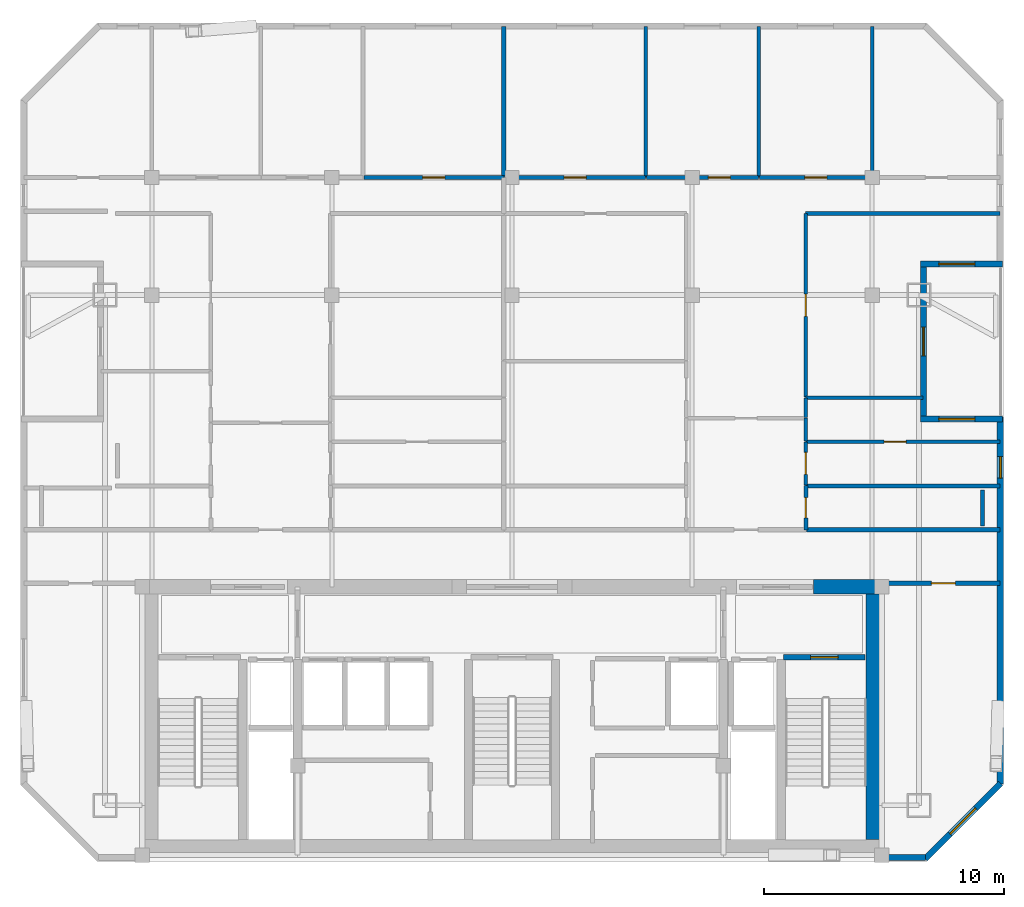
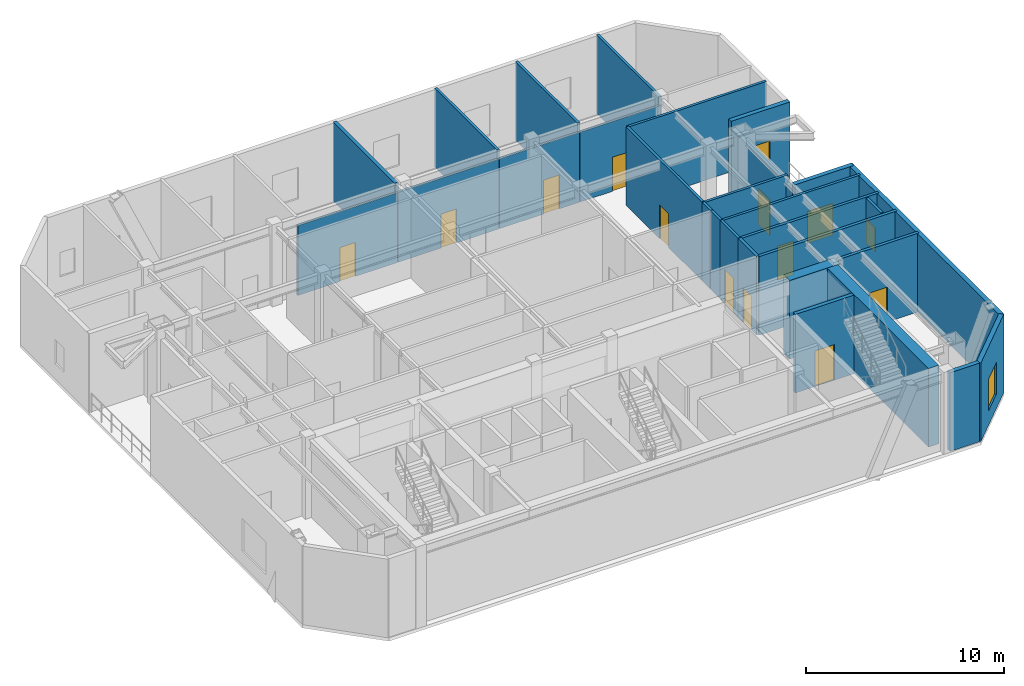
# One storey, part 5 of 7: 29 walls, 11 doors, 4 windows, 15 openings.
"""IFC4 building model written with IfcOpenShell, lengths in metres."""

from ifc_helpers import new_model, si_unit, direction, frame, frame_2d, origin, place, context, subcontext, project, spatial, rectangle, extrude, material, layer, layer_set, type_object, element, fill, save


model = new_model("IFC4")

# Units and contexts
model_context = context("Model", 3, precision=1e-05, world=origin(), true_north=direction((0.0, 1.0)))
body_context = subcontext(model_context, "Body", "Model", "MODEL_VIEW")
ifc_project = project(units=[si_unit("LENGTHUNIT", "METRE"), si_unit("AREAUNIT", "SQUARE_METRE"), si_unit("VOLUMEUNIT", "CUBIC_METRE"), si_unit("PLANEANGLEUNIT", "RADIAN"), si_unit("MASSUNIT", "GRAM", prefix="KILO")], contexts=[model_context])

# Site, building, storey
site_placement = place(None, origin())
site = spatial("IfcSite", under=ifc_project, at=site_placement, CompositionType="ELEMENT")
building_placement = place(site_placement, origin())
building = spatial("IfcBuilding", under=site, at=building_placement, Name="Ventersveld Concourse Tower", CompositionType="ELEMENT")
storey_placement = place(building_placement, frame((0.0, 0.0, 276.0)))
storey = spatial("IfcBuildingStorey", under=building, at=storey_placement, Name="L68", CompositionType="ELEMENT", Elevation=276.0)

# Walls
ifc_material_1 = material(Name="Concrete C50/60", Category="concrete")
ifc_layer_1 = layer(ifc_material_1, 0.60009765625)
ifc_layer_set_1 = layer_set([ifc_layer_1], Name="Concrete C50/60")
wall_type_1 = type_object("IfcWallType", Name="WL-CORE-600", PredefinedType="SHEAR", material=ifc_layer_set_1)
wall_1_placement = place(storey_placement, frame((43.800048828125, 0.919921875, 0.0), z_axis=(0.0, 0.0, 1.0), x_axis=(0.0, 1.0, 0.0)))
element("IfcWall", 1, at=wall_1_placement, inside=storey, type_object=wall_type_1, Name="L68 Rear Core East Shear Wall", PredefinedType="SHEAR", context=body_context, shape_type="SweptSolid", body=[
    extrude(rectangle(XDim=10.530029296875, YDim=0.60009765625, at=frame_2d((5.26513671875, 0.0))), origin(), (0.0, 0.0, 1.0), 4.85009765625),
])
wall_2_placement = place(storey_placement, frame((41.300048828125, 11.449951171875, 0.0), z_axis=(0.0, 0.0, 1.0), x_axis=(1.0, 0.0, 0.0)))
element("IfcWall", 2, at=wall_2_placement, inside=storey, type_object=wall_type_1, Name="L68 Rear Core North Shear Wall NE", PredefinedType="SHEAR", context=body_context, shape_type="SweptSolid", body=[
    extrude(rectangle(XDim=2.949951171875, YDim=0.60009765625, at=frame_2d((1.47509765625, 0.0))), origin(), (0.0, 0.0, 1.0), 4.85009765625),
])

# Wall, opening, door
ifc_material_2 = material(Name="Fire-rated autoclaved aerated masonry blockwork", Category="masonry")
ifc_layer_2 = layer(ifc_material_2, 0.179931640625)
ifc_layer_set_2 = layer_set([ifc_layer_2], Name="Fire-rated autoclaved aerated masonry blockwork")
wall_type_2 = type_object("IfcWallType", Name="WL-CORR-180", PredefinedType="PARTITIONING", material=ifc_layer_set_2)
wall_3_placement = place(storey_placement, frame((44.35498046875, 11.60009765625, 0.0), z_axis=(0.0, 0.0, 1.0), x_axis=(1.0, 0.0, 0.0)))
wall_3 = element("IfcWall", 3, at=wall_3_placement, inside=storey, type_object=wall_type_2, Name="L68 Interior Partition SP-L68-SE-OFF-SP-L68-COR", PredefinedType="PARTITIONING", context=body_context, shape_type="SweptSolid", body=[
    extrude(rectangle(XDim=4.713623046875, YDim=0.179931640625, at=frame_2d((2.35693359375, 0.0))), origin(), (0.0, 0.0, 1.0), 4.85009765625),
])
opening_1_placement = place(wall_3_placement, frame((1.856689453125, 0.0, 0.0)))
opening_1 = element("IfcOpeningElement", 4, at=opening_1_placement, cuts=wall_3, Name="Opening FD3", PredefinedType="OPENING", context=body_context, shape_type="SweptSolid", body=[
    extrude(rectangle(XDim=1.0, YDim=2.14990234375, at=frame_2d((0.5, 1.074951171875))), frame((0.0, 0.10009765625, 0.0), z_axis=(0.0, -1.0, 0.0), x_axis=(1.0, 0.0, 0.0)), (0.0, 0.0, 1.0), 0.199951171875),
])
ifc_material_3 = material(Name="Solid-core hardwood veneer timber", Category="wood")
door_type_1 = type_object("IfcDoorType", Name="DR-FLAT-100", OperationType="NOTDEFINED", PredefinedType="DOOR", material=ifc_material_3)
door_1_placement = place(opening_1_placement, origin())
door_1 = element("IfcDoor", 5, at=door_1_placement, inside=storey, type_object=door_type_1, Name="L68 Interior Door SP-L68-SE-OFF to SP-L68-COR (D-L68-3183)", OperationType="SINGLE_SWING_LEFT", OverallHeight=2.14990234375, OverallWidth=1.0, PredefinedType="DOOR", context=body_context, shape_type="SweptSolid", body=[
    extrude(rectangle(XDim=1.0, YDim=2.14990234375, at=frame_2d((0.5, 1.074951171875))), frame((0.0, 0.02490234375, 0.0), z_axis=(0.0, -1.0, 0.0), x_axis=(1.0, 0.0, 0.0)), (0.0, 0.0, 1.0), 0.050048828125),
])
fill(opening_1, door_1)

# Walls
wall_4_placement = place(storey_placement, frame((41.02294921875, 13.830078125, 0.0), z_axis=(0.0, 0.0, 1.0), x_axis=(1.0, 0.0, 0.0)))
element("IfcWall", 6, at=wall_4_placement, inside=storey, type_object=wall_type_2, Name="L68 Interior Partition SP-L68-COR-SP-L68-68N2-PWDR3", PredefinedType="PARTITIONING", context=body_context, shape_type="SweptSolid", body=[
    extrude(rectangle(XDim=8.045654296875, YDim=0.179931640625, at=frame_2d((4.02294921875, 0.0))), origin(), (0.0, 0.0, 1.0), 4.85009765625),
])
ifc_layer_3 = layer(ifc_material_2, 0.199951171875)
ifc_layer_set_3 = layer_set([ifc_layer_3], Name="Fire-rated autoclaved aerated masonry blockwork")
wall_type_3 = type_object("IfcWallType", Name="WL-DEMISE-200", PredefinedType="PARTITIONING", material=ifc_layer_set_3)
wall_5_placement = place(storey_placement, frame((28.402587890625, 28.534912109375, 0.0), z_axis=(0.0, 0.0, 1.0), x_axis=(0.0, 1.0, 0.0)))
element("IfcWall", 7, at=wall_5_placement, inside=storey, type_object=wall_type_3, Name="L68 Interior Partition SP-L68-68N1-BR4-SP-L68-68N2-BR1", PredefinedType="PARTITIONING", context=body_context, shape_type="SweptSolid", body=[
    extrude(rectangle(XDim=6.253662109375, YDim=0.199951171875, at=frame_2d((3.126953125, 0.0))), origin(), (0.0, 0.0, 1.0), 4.85009765625),
])

# Wall, opening, door
ifc_layer_4 = layer(ifc_material_2, 0.219970703125)
ifc_layer_set_4 = layer_set([ifc_layer_4], Name="Fire-rated autoclaved aerated masonry blockwork")
wall_type_4 = type_object("IfcWallType", Name="WL-HOIST-220", PredefinedType="SOLIDWALL", material=ifc_layer_set_4)
wall_6_placement = place(storey_placement, frame((40.06005859375, 8.52001953125, 0.0), z_axis=(0.0, 0.0, 1.0), x_axis=(1.0, 0.0, 0.0)))
wall_6 = element("IfcWall", 8, at=wall_6_placement, inside=storey, type_object=wall_type_4, Name="L68 Escape Stair ST02 Fire Wall", PredefinedType="SOLIDWALL", context=body_context, shape_type="SweptSolid", body=[
    extrude(rectangle(XDim=3.39990234375, YDim=0.219970703125, at=frame_2d((1.699951171875, 0.0))), origin(), (0.0, 0.0, 1.0), 4.85009765625),
])
opening_2_placement = place(wall_6_placement, frame((1.125, 0.0, 0.0)))
opening_2 = element("IfcOpeningElement", 9, at=opening_2_placement, cuts=wall_6, Name="Opening FD1", PredefinedType="OPENING", context=body_context, shape_type="SweptSolid", body=[
    extrude(rectangle(XDim=1.14990234375, YDim=2.199951171875, at=frame_2d((0.574951171875, 1.10009765625))), frame((0.0, 0.1201171875, 0.0), z_axis=(0.0, -1.0, 0.0), x_axis=(1.0, 0.0, 0.0)), (0.0, 0.0, 1.0), 0.239990234375),
])
ifc_material_4 = material(Name="Galvanised painted steel", Category="steel")
door_type_2 = type_object("IfcDoorType", Name="DR-STAIR-115", OperationType="NOTDEFINED", PredefinedType="DOOR", material=ifc_material_4)
door_2_placement = place(opening_2_placement, origin())
door_2 = element("IfcDoor", 10, at=door_2_placement, inside=storey, type_object=door_type_2, Name="L68 Escape Stair Door ST02 (SD-L68-3172)", OperationType="SINGLE_SWING_RIGHT", OverallHeight=2.199951171875, OverallWidth=1.14990234375, PredefinedType="DOOR", context=body_context, shape_type="SweptSolid", body=[
    extrude(rectangle(XDim=1.14990234375, YDim=2.199951171875, at=frame_2d((0.574951171875, 1.10009765625))), frame((0.0, 0.02490234375, 0.0), z_axis=(0.0, -1.0, 0.0), x_axis=(1.0, 0.0, 0.0)), (0.0, 0.0, 1.0), 0.050048828125),
])
fill(opening_2, door_2)

ifc_material_5 = material(Name="Autoclaved aerated masonry blockwork", Category="masonry")
ifc_layer_5 = layer(ifc_material_5, 0.14990234375)
ifc_layer_set_5 = layer_set([ifc_layer_5], Name="Autoclaved aerated masonry blockwork")
wall_type_5 = type_object("IfcWallType", Name="WL-INT-150", PredefinedType="PARTITIONING", material=ifc_layer_set_5)
wall_7_placement = place(storey_placement, frame((22.577880859375, 28.5, 0.0), z_axis=(0.0, 0.0, 1.0), x_axis=(1.0, 0.0, 0.0)))
wall_7 = element("IfcWall", 11, at=wall_7_placement, inside=storey, type_object=wall_type_5, Name="L68 Interior Partition SP-L68-68N1-LIV-SP-L68-68N1-BR4", PredefinedType="PARTITIONING", context=body_context, shape_type="SweptSolid", body=[
    extrude(rectangle(XDim=5.829833984375, YDim=0.14990234375, at=frame_2d((2.9150390625, 0.0))), origin(), (0.0, 0.0, 1.0), 4.305419921875),
])
opening_3_placement = place(wall_7_placement, frame((2.454833984375, 0.0, 0.0)))
opening_3 = element("IfcOpeningElement", 12, at=opening_3_placement, cuts=wall_7, Name="Opening ID1", PredefinedType="OPENING", context=body_context, shape_type="SweptSolid", body=[
    extrude(rectangle(XDim=0.919921875, YDim=2.10009765625, at=frame_2d((0.4599609375, 1.050048828125))), frame((0.0, 0.0849609375, 0.0), z_axis=(0.0, -1.0, 0.0), x_axis=(1.0, 0.0, 0.0)), (0.0, 0.0, 1.0), 0.169921875),
])
door_type_3 = type_object("IfcDoorType", Name="DR-ROOM-092", OperationType="NOTDEFINED", PredefinedType="DOOR", material=ifc_material_3)
door_3_placement = place(opening_3_placement, origin())
door_3 = element("IfcDoor", 13, at=door_3_placement, inside=storey, type_object=door_type_3, Name="L68 Interior Door SP-L68-68N1-LIV to SP-L68-68N1-BR4 (D-L68-3197)", OperationType="SINGLE_SWING_LEFT", OverallHeight=2.10009765625, OverallWidth=0.919921875, PredefinedType="DOOR", context=body_context, shape_type="SweptSolid", body=[
    extrude(rectangle(XDim=0.919921875, YDim=2.10009765625, at=frame_2d((0.4599609375, 1.050048828125))), frame((0.0, 0.02490234375, 0.0), z_axis=(0.0, -1.0, 0.0), x_axis=(1.0, 0.0, 0.0)), (0.0, 0.0, 1.0), 0.050048828125),
])
fill(opening_3, door_3)

wall_8_placement = place(storey_placement, frame((40.98779296875, 15.695068359375, 0.0), z_axis=(0.0, 0.0, 1.0), x_axis=(0.0, 1.0, 0.0)))
wall_8 = element("IfcWall", 14, at=wall_8_placement, inside=storey, type_object=wall_type_5, Name="L68 Interior Partition SP-L68-68N2-FOY-SP-L68-68N2-KIT", PredefinedType="PARTITIONING", context=body_context, shape_type="SweptSolid", body=[
    extrude(rectangle(XDim=1.800048828125, YDim=0.14990234375, at=frame_2d((0.89990234375, 0.0))), origin(), (0.0, 0.0, 1.0), 4.85009765625),
])
opening_4_placement = place(wall_8_placement, frame((0.43994140625, 0.0, 0.0)))
opening_4 = element("IfcOpeningElement", 15, at=opening_4_placement, cuts=wall_8, Name="Opening ID1", PredefinedType="OPENING", context=body_context, shape_type="SweptSolid", body=[
    extrude(rectangle(XDim=0.919921875, YDim=2.10009765625, at=frame_2d((0.4599609375, 1.050048828125))), frame((0.0, 0.0849609375, 0.0), z_axis=(0.0, -1.0, 0.0), x_axis=(1.0, 0.0, 0.0)), (0.0, 0.0, 1.0), 0.169921875),
])
door_4_placement = place(opening_4_placement, origin())
door_4 = element("IfcDoor", 16, at=door_4_placement, inside=storey, type_object=door_type_3, Name="L68 Interior Door SP-L68-68N2-FOY to SP-L68-68N2-KIT (D-L68-3202)", OperationType="SINGLE_SWING_RIGHT", OverallHeight=2.10009765625, OverallWidth=0.919921875, PredefinedType="DOOR", context=body_context, shape_type="SweptSolid", body=[
    extrude(rectangle(XDim=0.919921875, YDim=2.10009765625, at=frame_2d((0.4599609375, 1.050048828125))), frame((0.0, 0.02490234375, 0.0), z_axis=(0.0, -1.0, 0.0), x_axis=(1.0, 0.0, 0.0)), (0.0, 0.0, 1.0), 0.050048828125),
])
fill(opening_4, door_4)

# Walls
wall_9_placement = place(storey_placement, frame((40.98779296875, 17.52490234375, 0.0), z_axis=(0.0, 0.0, 1.0), x_axis=(0.0, 1.0, 0.0)))
element("IfcWall", 17, at=wall_9_placement, inside=storey, type_object=wall_type_5, Name="L68 Interior Partition SP-L68-68N2-FOY-SP-L68-68N2-PANR1", PredefinedType="PARTITIONING", context=body_context, shape_type="SweptSolid", body=[
    extrude(rectangle(XDim=0.950927734375, YDim=0.14990234375, at=frame_2d((0.4755859375, 0.0))), origin(), (0.0, 0.0, 1.0), 4.85009765625),
])
wall_10_placement = place(storey_placement, frame((40.98779296875, 18.505859375, 0.0), z_axis=(0.0, 0.0, 1.0), x_axis=(0.0, 1.0, 0.0)))
element("IfcWall", 18, at=wall_10_placement, inside=storey, type_object=wall_type_5, Name="L68 Interior Partition SP-L68-68N2-LIV-SP-L68-68N2-PANR1", PredefinedType="PARTITIONING", context=body_context, shape_type="SweptSolid", body=[
    extrude(rectangle(XDim=0.819091796875, YDim=0.14990234375, at=frame_2d((0.40966796875, 0.0))), origin(), (0.0, 0.0, 1.0), 4.85009765625),
])

# Wall, opening, door
wall_11_placement = place(storey_placement, frame((40.98779296875, 19.35498046875, 0.0), z_axis=(0.0, 0.0, 1.0), x_axis=(0.0, 1.0, 0.0)))
wall_11 = element("IfcWall", 19, at=wall_11_placement, inside=storey, type_object=wall_type_5, Name="L68 Interior Partition SP-L68-68N2-LIV-SP-L68-68N2-DENR", PredefinedType="PARTITIONING", context=body_context, shape_type="SweptSolid", body=[
    extrude(rectangle(XDim=7.64990234375, YDim=0.14990234375, at=frame_2d((3.824951171875, 0.0))), origin(), (0.0, 0.0, 1.0), 4.85009765625),
])
opening_5_placement = place(wall_11_placement, frame((3.364990234375, 0.0, 0.0)))
opening_5 = element("IfcOpeningElement", 20, at=opening_5_placement, cuts=wall_11, Name="Opening ID1", PredefinedType="OPENING", context=body_context, shape_type="SweptSolid", body=[
    extrude(rectangle(XDim=0.919921875, YDim=2.10009765625, at=frame_2d((0.4599609375, 1.050048828125))), frame((0.0, 0.0849609375, 0.0), z_axis=(0.0, -1.0, 0.0), x_axis=(1.0, 0.0, 0.0)), (0.0, 0.0, 1.0), 0.169921875),
])
door_5_placement = place(opening_5_placement, origin())
door_5 = element("IfcDoor", 21, at=door_5_placement, inside=storey, type_object=door_type_3, Name="L68 Interior Door SP-L68-68N2-LIV to SP-L68-68N2-DENR (D-L68-3205)", OperationType="SINGLE_SWING_LEFT", OverallHeight=2.10009765625, OverallWidth=0.919921875, PredefinedType="DOOR", context=body_context, shape_type="SweptSolid", body=[
    extrude(rectangle(XDim=0.919921875, YDim=2.10009765625, at=frame_2d((0.4599609375, 1.050048828125))), frame((0.0, 0.02490234375, 0.0), z_axis=(0.0, -1.0, 0.0), x_axis=(1.0, 0.0, 0.0)), (0.0, 0.0, 1.0), 0.050048828125),
])
fill(opening_5, door_5)

# Wall
wall_12_placement = place(storey_placement, frame((40.98291015625, 27.0, 0.0), z_axis=(0.0, 0.0, 1.0), x_axis=(1.0, 0.0, 0.0)))
element("IfcWall", 22, at=wall_12_placement, inside=storey, type_object=wall_type_5, Name="L68 Interior Partition SP-L68-68N2-LIV-SP-L68-68N2-DENR", PredefinedType="PARTITIONING", context=body_context, shape_type="SweptSolid", body=[
    extrude(rectangle(XDim=8.085693359375, YDim=0.14990234375, at=frame_2d((4.04296875, 0.0))), origin(), (0.0, 0.0, 1.0), 4.85009765625),
])

# Wall, opening, door
wall_13_placement = place(storey_placement, frame((28.437744140625, 28.5, 0.0), z_axis=(0.0, 0.0, 1.0), x_axis=(1.0, 0.0, 0.0)))
wall_13 = element("IfcWall", 23, at=wall_13_placement, inside=storey, type_object=wall_type_5, Name="L68 Interior Partition SP-L68-68N2-LIV-SP-L68-68N2-BR1", PredefinedType="PARTITIONING", context=body_context, shape_type="SweptSolid", body=[
    extrude(rectangle(XDim=5.88134765625, YDim=0.14990234375, at=frame_2d((2.940673828125, 0.0))), origin(), (0.0, 0.0, 1.0), 4.305419921875),
])
opening_6_placement = place(wall_13_placement, frame((2.480712890625, 0.0, 0.0)))
opening_6 = element("IfcOpeningElement", 24, at=opening_6_placement, cuts=wall_13, Name="Opening ID1", PredefinedType="OPENING", context=body_context, shape_type="SweptSolid", body=[
    extrude(rectangle(XDim=0.919921875, YDim=2.10009765625, at=frame_2d((0.4599609375, 1.050048828125))), frame((0.0, 0.0849609375, 0.0), z_axis=(0.0, -1.0, 0.0), x_axis=(1.0, 0.0, 0.0)), (0.0, 0.0, 1.0), 0.169921875),
])
door_6_placement = place(opening_6_placement, origin())
door_6 = element("IfcDoor", 25, at=door_6_placement, inside=storey, type_object=door_type_3, Name="L68 Interior Door SP-L68-68N2-LIV to SP-L68-68N2-BR1 (D-L68-3206)", OperationType="SINGLE_SWING_RIGHT", OverallHeight=2.10009765625, OverallWidth=0.919921875, PredefinedType="DOOR", context=body_context, shape_type="SweptSolid", body=[
    extrude(rectangle(XDim=0.919921875, YDim=2.10009765625, at=frame_2d((0.4599609375, 1.050048828125))), frame((0.0, 0.02490234375, 0.0), z_axis=(0.0, -1.0, 0.0), x_axis=(1.0, 0.0, 0.0)), (0.0, 0.0, 1.0), 0.050048828125),
])
fill(opening_6, door_6)

wall_14_placement = place(storey_placement, frame((34.34912109375, 28.5, 0.0), z_axis=(0.0, 0.0, 1.0), x_axis=(1.0, 0.0, 0.0)))
wall_14 = element("IfcWall", 26, at=wall_14_placement, inside=storey, type_object=wall_type_5, Name="L68 Interior Partition SP-L68-68N2-LIV-SP-L68-68N2-BR2", PredefinedType="PARTITIONING", context=body_context, shape_type="SweptSolid", body=[
    extrude(rectangle(XDim=4.674560546875, YDim=0.14990234375, at=frame_2d((2.33740234375, 0.0))), origin(), (0.0, 0.0, 1.0), 4.305419921875),
])
opening_7_placement = place(wall_14_placement, frame((2.57861328125, 0.0, 0.0)))
opening_7 = element("IfcOpeningElement", 27, at=opening_7_placement, cuts=wall_14, Name="Opening ID1", PredefinedType="OPENING", context=body_context, shape_type="SweptSolid", body=[
    extrude(rectangle(XDim=0.919921875, YDim=2.10009765625, at=frame_2d((0.4599609375, 1.050048828125))), frame((0.0, 0.0849609375, 0.0), z_axis=(0.0, -1.0, 0.0), x_axis=(1.0, 0.0, 0.0)), (0.0, 0.0, 1.0), 0.169921875),
])
door_7_placement = place(opening_7_placement, origin())
door_7 = element("IfcDoor", 28, at=door_7_placement, inside=storey, type_object=door_type_3, Name="L68 Interior Door SP-L68-68N2-LIV to SP-L68-68N2-BR2 (D-L68-3207)", OperationType="SINGLE_SWING_LEFT", OverallHeight=2.10009765625, OverallWidth=0.919921875, PredefinedType="DOOR", context=body_context, shape_type="SweptSolid", body=[
    extrude(rectangle(XDim=0.919921875, YDim=2.10009765625, at=frame_2d((0.4599609375, 1.050048828125))), frame((0.0, 0.02490234375, 0.0), z_axis=(0.0, -1.0, 0.0), x_axis=(1.0, 0.0, 0.0)), (0.0, 0.0, 1.0), 0.050048828125),
])
fill(opening_7, door_7)

wall_15_placement = place(storey_placement, frame((39.0537109375, 28.5, 0.0), z_axis=(0.0, 0.0, 1.0), x_axis=(1.0, 0.0, 0.0)))
wall_15 = element("IfcWall", 29, at=wall_15_placement, inside=storey, type_object=wall_type_5, Name="L68 Interior Partition SP-L68-68N2-LIV-SP-L68-68N2-BR3", PredefinedType="PARTITIONING", context=body_context, shape_type="SweptSolid", body=[
    extrude(rectangle(XDim=4.701171875, YDim=0.14990234375, at=frame_2d((2.3505859375, 0.0))), origin(), (0.0, 0.0, 1.0), 4.305419921875),
])
opening_8_placement = place(wall_15_placement, frame((1.890625, 0.0, 0.0)))
opening_8 = element("IfcOpeningElement", 30, at=opening_8_placement, cuts=wall_15, Name="Opening ID1", PredefinedType="OPENING", context=body_context, shape_type="SweptSolid", body=[
    extrude(rectangle(XDim=0.919921875, YDim=2.10009765625, at=frame_2d((0.4599609375, 1.050048828125))), frame((0.0, 0.0849609375, 0.0), z_axis=(0.0, -1.0, 0.0), x_axis=(1.0, 0.0, 0.0)), (0.0, 0.0, 1.0), 0.169921875),
])
door_8_placement = place(opening_8_placement, origin())
door_8 = element("IfcDoor", 31, at=door_8_placement, inside=storey, type_object=door_type_3, Name="L68 Interior Door SP-L68-68N2-LIV to SP-L68-68N2-BR3 (D-L68-3208)", OperationType="SINGLE_SWING_RIGHT", OverallHeight=2.10009765625, OverallWidth=0.919921875, PredefinedType="DOOR", context=body_context, shape_type="SweptSolid", body=[
    extrude(rectangle(XDim=0.919921875, YDim=2.10009765625, at=frame_2d((0.4599609375, 1.050048828125))), frame((0.0, 0.02490234375, 0.0), z_axis=(0.0, -1.0, 0.0), x_axis=(1.0, 0.0, 0.0)), (0.0, 0.0, 1.0), 0.050048828125),
])
fill(opening_8, door_8)

wall_16_placement = place(storey_placement, frame((40.98291015625, 17.489990234375, 0.0), z_axis=(0.0, 0.0, 1.0), x_axis=(1.0, 0.0, 0.0)))
wall_16 = element("IfcWall", 32, at=wall_16_placement, inside=storey, type_object=wall_type_5, Name="L68 Interior Partition SP-L68-68N2-KIT-SP-L68-68N2-PANR1", PredefinedType="PARTITIONING", context=body_context, shape_type="SweptSolid", body=[
    extrude(rectangle(XDim=8.085693359375, YDim=0.14990234375, at=frame_2d((4.04296875, 0.0))), origin(), (0.0, 0.0, 1.0), 4.85009765625),
])
opening_9_placement = place(wall_16_placement, frame((3.264892578125, 0.0, 0.0)))
opening_9 = element("IfcOpeningElement", 33, at=opening_9_placement, cuts=wall_16, Name="Opening ID1", PredefinedType="OPENING", context=body_context, shape_type="SweptSolid", body=[
    extrude(rectangle(XDim=0.919921875, YDim=2.10009765625, at=frame_2d((0.4599609375, 1.050048828125))), frame((0.0, 0.0849609375, 0.0), z_axis=(0.0, -1.0, 0.0), x_axis=(1.0, 0.0, 0.0)), (0.0, 0.0, 1.0), 0.169921875),
])
door_9_placement = place(opening_9_placement, origin())
door_9 = element("IfcDoor", 34, at=door_9_placement, inside=storey, type_object=door_type_3, Name="L68 Interior Door Flat 68N2 Beverage Tea Pantry (D-L68-3211)", OperationType="SINGLE_SWING_RIGHT", OverallHeight=2.10009765625, OverallWidth=0.919921875, PredefinedType="DOOR", context=body_context, shape_type="SweptSolid", body=[
    extrude(rectangle(XDim=0.919921875, YDim=2.10009765625, at=frame_2d((0.4599609375, 1.050048828125))), frame((0.0, 0.02490234375, 0.0), z_axis=(0.0, -1.0, 0.0), x_axis=(1.0, 0.0, 0.0)), (0.0, 0.0, 1.0), 0.050048828125),
])
fill(opening_9, door_9)

# Walls
wall_17_placement = place(storey_placement, frame((40.98291015625, 19.320068359375, 0.0), z_axis=(0.0, 0.0, 1.0), x_axis=(1.0, 0.0, 0.0)))
element("IfcWall", 35, at=wall_17_placement, inside=storey, type_object=wall_type_5, Name="L68 Interior Partition SP-L68-68N2-PANR1-SP-L68-68N2-DENR", PredefinedType="PARTITIONING", context=body_context, shape_type="SweptSolid", body=[
    extrude(rectangle(XDim=4.885498046875, YDim=0.14990234375, at=frame_2d((2.44287109375, 0.0))), origin(), (0.0, 0.0, 1.0), 4.85009765625),
])
for number, where, z_axis, x_axis, name in (
    (36, (34.31396484375, 28.4951171875, 0.0), (0.0, 0.0, 1.0), (0.0, 1.0, 0.0), "L68 Interior Partition SP-L68-68N2-BR1-SP-L68-68N2-BR2"),
    (37, (39.018798828125, 28.4951171875, 0.0), (0.0, 0.0, 1.0), (0.0, 1.0, 0.0), "L68 Interior Partition SP-L68-68N2-BR2-SP-L68-68N2-BR3"),
    (38, (43.75, 28.4951171875, 0.0), (0.0, 0.0, 1.0), (0.0, 1.0, 0.0), "L68 Interior Partition SP-L68-68N2-BR3-SP-L68-68N2-BR4"),
):
    element("IfcWall", number, at=place(storey_placement, frame(where, z_axis=z_axis, x_axis=x_axis)), inside=storey, type_object=wall_type_5, Name=name, PredefinedType="PARTITIONING", context=body_context, shape_type="SweptSolid", body=[
        extrude(rectangle(XDim=6.29345703125, YDim=0.14990234375, at=frame_2d((3.146728515625, 0.0))), origin(), (0.0, 0.0, 1.0), 4.85009765625),
    ])
ifc_material_6 = material(Name="Precast concrete C45/55", Category="concrete")
ifc_layer_6 = layer(ifc_material_6, 0.260009765625)
ifc_layer_set_6 = layer_set([ifc_layer_6], Name="Precast concrete C45/55")
wall_type_6 = type_object("IfcWallType", Name="WL-PREC-260", PredefinedType="SOLIDWALL", material=ifc_layer_set_6)
wall_18_placement = place(storey_placement, frame((44.25, 0.179931640625, 0.0), z_axis=(0.0, 0.0, 1.0), x_axis=(1.0, 0.0, 0.0)))
element("IfcWall", 39, at=wall_18_placement, inside=storey, type_object=wall_type_6, Name="L68 South-East Flank Precast Wall", PredefinedType="SOLIDWALL", context=body_context, shape_type="SweptSolid", body=[
    extrude(rectangle(XDim=1.72802734375, YDim=0.260009765625, at=frame_2d((0.864013671875, 0.0))), origin(), (0.0, 0.0, 1.0), 4.85009765625),
])

# Wall, opening, window
wall_19_placement = place(storey_placement, frame((45.954345703125, 0.1201171875, 0.0), z_axis=(0.0, 0.0, 1.0), x_axis=(0.707106781187, 0.707106781187, 0.0)))
wall_19 = element("IfcWall", 40, at=wall_19_placement, inside=storey, type_object=wall_type_6, Name="L68 Highveld Precast Facade Wall E02", PredefinedType="SOLIDWALL", context=body_context, shape_type="SweptSolid", body=[
    extrude(rectangle(XDim=4.445556640625, YDim=0.260009765625, at=frame_2d((2.22265625, 0.0))), origin(), (0.0, 0.0, 1.0), 4.85009765625),
])
opening_10_placement = place(wall_19_placement, frame((1.47265625, 0.0, 0.89990234375)))
opening_10 = element("IfcOpeningElement", 41, at=opening_10_placement, cuts=wall_19, Name="Opening W1", PredefinedType="OPENING", context=body_context, shape_type="SweptSolid", body=[
    extrude(rectangle(XDim=1.5, YDim=1.949951171875, at=frame_2d((0.75, 0.97509765625))), frame((0.0, 0.14013671875, 0.0), z_axis=(0.0, -1.0, 0.0), x_axis=(1.0, 0.0, 0.0)), (0.0, 0.0, 1.0), 0.280029296875),
])
ifc_material_7 = material(Name="Tempered acoustic Low-E IGU", Category="glass")
window_type_1 = type_object("IfcWindowType", Name="WIN-150x210", PartitioningType="SINGLE_PANEL", PredefinedType="WINDOW", material=ifc_material_7)
window_1_placement = place(opening_10_placement, origin())
window_1 = element("IfcWindow", 42, at=window_1_placement, inside=storey, type_object=window_type_1, Name="L68 Punched Low-E Window W-0967", OverallHeight=1.949951171875, OverallWidth=1.5, PartitioningType="SINGLE_PANEL", PredefinedType="WINDOW", context=body_context, shape_type="SweptSolid", body=[
    extrude(rectangle(XDim=1.5, YDim=1.949951171875, at=frame_2d((0.75, 0.97509765625))), frame((0.0, 0.030029296875, 0.0), z_axis=(0.0, -1.0, 0.0), x_axis=(1.0, 0.0, 0.0)), (0.0, 0.0, 1.0), 0.06005859375),
])
fill(opening_10, window_1)

wall_20_placement = place(storey_placement, frame((49.087890625, 3.239990234375, 0.0), z_axis=(0.0, 0.0, 1.0), x_axis=(0.0, 1.0, 0.0)))
wall_20 = element("IfcWall", 43, at=wall_20_placement, inside=storey, type_object=wall_type_6, Name="L68 Highveld Precast Facade Wall E03", PredefinedType="SOLIDWALL", context=body_context, shape_type="SweptSolid", body=[
    extrude(rectangle(XDim=15.2890625, YDim=0.260009765625, at=frame_2d((7.64453125, 0.0))), origin(), (0.0, 0.0, 1.0), 4.85009765625),
])
opening_11_placement = place(wall_20_placement, frame((12.7392578125, 0.0, 0.949951171875)))
opening_11 = element("IfcOpeningElement", 44, at=opening_11_placement, cuts=wall_20, Name="Opening W4", PredefinedType="OPENING", context=body_context, shape_type="SweptSolid", body=[
    extrude(rectangle(XDim=0.89990234375, YDim=1.5, at=frame_2d((0.449951171875, 0.75))), frame((0.0, 0.14013671875, 0.0), z_axis=(0.0, -1.0, 0.0), x_axis=(1.0, 0.0, 0.0)), (0.0, 0.0, 1.0), 0.280029296875),
])
window_type_2 = type_object("IfcWindowType", Name="WIN-090x150", PartitioningType="SINGLE_PANEL", PredefinedType="WINDOW", material=ifc_material_7)
window_2_placement = place(opening_11_placement, origin())
window_2 = element("IfcWindow", 45, at=window_2_placement, inside=storey, type_object=window_type_2, Name="L68 Punched Low-E Window W-0974", OverallHeight=1.5, OverallWidth=0.89990234375, PartitioningType="SINGLE_PANEL", PredefinedType="WINDOW", context=body_context, shape_type="SweptSolid", body=[
    extrude(rectangle(XDim=0.89990234375, YDim=1.5, at=frame_2d((0.449951171875, 0.75))), frame((0.0, 0.030029296875, 0.0), z_axis=(0.0, -1.0, 0.0), x_axis=(1.0, 0.0, 0.0)), (0.0, 0.0, 1.0), 0.06005859375),
])
fill(opening_11, window_2)

wall_21_placement = place(storey_placement, frame((49.177978515625, 18.43896484375, 0.0), z_axis=(0.0, 0.0, 1.0), x_axis=(-1.0, 0.0, 0.0)))
wall_21 = element("IfcWall", 46, at=wall_21_placement, inside=storey, type_object=wall_type_6, Name="L68 Highveld Precast Facade Wall E04", PredefinedType="SOLIDWALL", context=body_context, shape_type="SweptSolid", body=[
    extrude(rectangle(XDim=3.419921875, YDim=0.260009765625, at=frame_2d((1.7099609375, 0.0))), origin(), (0.0, 0.0, 1.0), 4.85009765625),
])
opening_12_placement = place(wall_21_placement, frame((1.14990234375, 0.0, 0.89990234375)))
opening_12 = element("IfcOpeningElement", 47, at=opening_12_placement, cuts=wall_21, Name="Opening W1", PredefinedType="OPENING", context=body_context, shape_type="SweptSolid", body=[
    extrude(rectangle(XDim=1.5, YDim=1.949951171875, at=frame_2d((0.75, 0.97509765625))), frame((0.0, 0.14013671875, 0.0), z_axis=(0.0, -1.0, 0.0), x_axis=(1.0, 0.0, 0.0)), (0.0, 0.0, 1.0), 0.280029296875),
])
window_3_placement = place(opening_12_placement, origin())
window_3 = element("IfcWindow", 48, at=window_3_placement, inside=storey, type_object=window_type_1, Name="L68 Punched Low-E Window W-0975", OverallHeight=1.949951171875, OverallWidth=1.5, PartitioningType="SINGLE_PANEL", PredefinedType="WINDOW", context=body_context, shape_type="SweptSolid", body=[
    extrude(rectangle(XDim=1.5, YDim=1.949951171875, at=frame_2d((0.75, 0.97509765625))), frame((0.0, 0.030029296875, 0.0), z_axis=(0.0, -1.0, 0.0), x_axis=(1.0, 0.0, 0.0)), (0.0, 0.0, 1.0), 0.06005859375),
])
fill(opening_12, window_3)

# Wall, opening, door
wall_22_placement = place(storey_placement, frame((45.887939453125, 18.569091796875, 0.0), z_axis=(0.0, 0.0, 1.0), x_axis=(0.0, 1.0, 0.0)))
wall_22 = element("IfcWall", 49, at=wall_22_placement, inside=storey, type_object=wall_type_6, Name="L68 Highveld Precast Facade Wall E05", PredefinedType="SOLIDWALL", context=body_context, shape_type="SweptSolid", body=[
    extrude(rectangle(XDim=6.199951171875, YDim=0.260009765625, at=frame_2d((3.10009765625, 0.0))), origin(), (0.0, 0.0, 1.0), 4.389892578125),
])
opening_13_placement = place(wall_22_placement, frame((2.5, 0.0, 0.0)))
opening_13 = element("IfcOpeningElement", 50, at=opening_13_placement, cuts=wall_22, Name="Opening TD1", PredefinedType="OPENING", context=body_context, shape_type="SweptSolid", body=[
    extrude(rectangle(XDim=1.199951171875, YDim=2.199951171875, at=frame_2d((0.60009765625, 1.10009765625))), frame((0.0, 0.14013671875, 0.0), z_axis=(0.0, -1.0, 0.0), x_axis=(1.0, 0.0, 0.0)), (0.0, 0.0, 1.0), 0.280029296875),
])
ifc_material_8 = material(Name="Anodised aluminium EN AW-6063-T6", Category="aluminium")
door_type_4 = type_object("IfcDoorType", Name="DR-TERR-120", OperationType="NOTDEFINED", PredefinedType="DOOR", material=ifc_material_8)
door_10_placement = place(opening_13_placement, frame((1.199951171875, 0.0, 0.0), z_axis=(0.0, 0.0, 1.0), x_axis=(-1.0, 0.0, 0.0)))
door_10 = element("IfcDoor", 51, at=door_10_placement, inside=storey, type_object=door_type_4, Name="L68 Stepped Valley Terrace Door TD-L68-02", OperationType="SINGLE_SWING_RIGHT", OverallHeight=2.199951171875, OverallWidth=1.199951171875, PredefinedType="DOOR", context=body_context, shape_type="SweptSolid", body=[
    extrude(rectangle(XDim=1.199951171875, YDim=2.199951171875, at=frame_2d((0.60009765625, 1.10009765625))), frame((0.0, 0.02490234375, 0.0), z_axis=(0.0, -1.0, 0.0), x_axis=(1.0, 0.0, 0.0)), (0.0, 0.0, 1.0), 0.050048828125),
])
fill(opening_13, door_10)

# Wall, opening, window
wall_23_placement = place(storey_placement, frame((45.758056640625, 24.89892578125, 0.0), z_axis=(0.0, 0.0, 1.0), x_axis=(1.0, 0.0, 0.0)))
wall_23 = element("IfcWall", 52, at=wall_23_placement, inside=storey, type_object=wall_type_6, Name="L68 Highveld Precast Facade Wall E06", PredefinedType="SOLIDWALL", context=body_context, shape_type="SweptSolid", body=[
    extrude(rectangle(XDim=3.419921875, YDim=0.260009765625, at=frame_2d((1.7099609375, 0.0))), origin(), (0.0, 0.0, 1.0), 4.85009765625),
])
opening_14_placement = place(wall_23_placement, frame((0.77001953125, 0.0, 0.89990234375)))
opening_14 = element("IfcOpeningElement", 53, at=opening_14_placement, cuts=wall_23, Name="Opening W1", PredefinedType="OPENING", context=body_context, shape_type="SweptSolid", body=[
    extrude(rectangle(XDim=1.5, YDim=1.949951171875, at=frame_2d((0.75, 0.97509765625))), frame((0.0, 0.14013671875, 0.0), z_axis=(0.0, -1.0, 0.0), x_axis=(1.0, 0.0, 0.0)), (0.0, 0.0, 1.0), 0.280029296875),
])
window_4_placement = place(opening_14_placement, origin())
window_4 = element("IfcWindow", 54, at=window_4_placement, inside=storey, type_object=window_type_1, Name="L68 Punched Low-E Window W-0976", OverallHeight=1.949951171875, OverallWidth=1.5, PartitioningType="SINGLE_PANEL", PredefinedType="WINDOW", context=body_context, shape_type="SweptSolid", body=[
    extrude(rectangle(XDim=1.5, YDim=1.949951171875, at=frame_2d((0.75, 0.97509765625))), frame((0.0, 0.030029296875, 0.0), z_axis=(0.0, -1.0, 0.0), x_axis=(1.0, 0.0, 0.0)), (0.0, 0.0, 1.0), 0.06005859375),
])
fill(opening_14, window_4)

# Wall, opening, door
ifc_layer_7 = layer(ifc_material_5, 0.1650390625)
ifc_layer_set_7 = layer_set([ifc_layer_7], Name="Autoclaved aerated masonry blockwork")
wall_type_7 = type_object("IfcWallType", Name="WL-WET-165", PredefinedType="PLUMBINGWALL", material=ifc_layer_set_7)
wall_24_placement = place(storey_placement, frame((40.98779296875, 13.824951171875, 0.0), z_axis=(0.0, 0.0, 1.0), x_axis=(0.0, 1.0, 0.0)))
wall_24 = element("IfcWall", 55, at=wall_24_placement, inside=storey, type_object=wall_type_7, Name="L68 Interior Partition SP-L68-68N2-FOY-SP-L68-68N2-PWDR3", PredefinedType="PLUMBINGWALL", context=body_context, shape_type="SweptSolid", body=[
    extrude(rectangle(XDim=1.840087890625, YDim=0.1650390625, at=frame_2d((0.919921875, 0.0))), origin(), (0.0, 0.0, 1.0), 4.85009765625),
])
opening_15_placement = place(wall_24_placement, frame((0.4951171875, 0.0, 0.0)))
opening_15 = element("IfcOpeningElement", 56, at=opening_15_placement, cuts=wall_24, Name="Opening ID2", PredefinedType="OPENING", context=body_context, shape_type="SweptSolid", body=[
    extrude(rectangle(XDim=0.85009765625, YDim=2.10009765625, at=frame_2d((0.425048828125, 1.050048828125))), frame((0.0, 0.092529296875, 0.0), z_axis=(0.0, -1.0, 0.0), x_axis=(1.0, 0.0, 0.0)), (0.0, 0.0, 1.0), 0.18505859375),
])
door_type_5 = type_object("IfcDoorType", Name="DR-BATH-085", OperationType="NOTDEFINED", PredefinedType="DOOR", material=ifc_material_3)
door_11_placement = place(opening_15_placement, origin())
door_11 = element("IfcDoor", 57, at=door_11_placement, inside=storey, type_object=door_type_5, Name="L68 Interior Door SP-L68-68N2-FOY to SP-L68-68N2-PWDR3 (D-L68-3201)", OperationType="SINGLE_SWING_LEFT", OverallHeight=2.10009765625, OverallWidth=0.85009765625, PredefinedType="DOOR", context=body_context, shape_type="SweptSolid", body=[
    extrude(rectangle(XDim=0.85009765625, YDim=2.10009765625, at=frame_2d((0.425048828125, 1.050048828125))), frame((0.0, 0.02490234375, 0.0), z_axis=(0.0, -1.0, 0.0), x_axis=(1.0, 0.0, 0.0)), (0.0, 0.0, 1.0), 0.050048828125),
])
fill(opening_15, door_11)

# Walls
wall_25_placement = place(storey_placement, frame((40.98291015625, 15.659912109375, 0.0), z_axis=(0.0, 0.0, 1.0), x_axis=(1.0, 0.0, 0.0)))
element("IfcWall", 58, at=wall_25_placement, inside=storey, type_object=wall_type_7, Name="L68 Interior Partition SP-L68-68N2-PWDR3-SP-L68-68N2-KIT", PredefinedType="PLUMBINGWALL", context=body_context, shape_type="SweptSolid", body=[
    extrude(rectangle(XDim=8.085693359375, YDim=0.1650390625, at=frame_2d((4.04296875, 0.0))), origin(), (0.0, 0.0, 1.0), 4.85009765625),
])
wall_26_placement = place(storey_placement, frame((48.337890625, 15.4951171875, 0.0), z_axis=(0.0, 0.0, 1.0), x_axis=(0.0, -1.0, 0.0)))
element("IfcWall", 59, at=wall_26_placement, inside=storey, type_object=wall_type_7, Name="L68 Room Enclosure Wall SP-L68-68N2-PWDR3", PredefinedType="PLUMBINGWALL", context=body_context, shape_type="SweptSolid", body=[
    extrude(rectangle(XDim=1.5, YDim=0.1650390625, at=frame_2d((0.75, 0.0))), origin(), (0.0, 0.0, 1.0), 4.85009765625),
])

save(model, "model.ifc")
